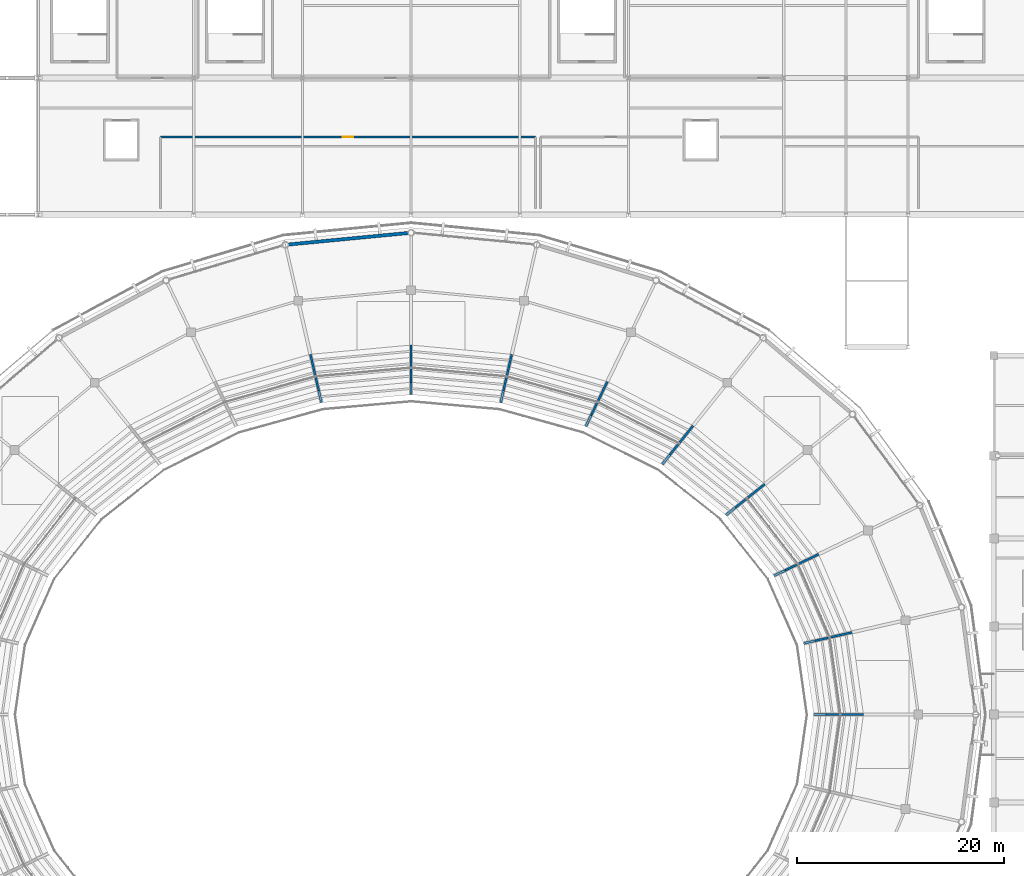
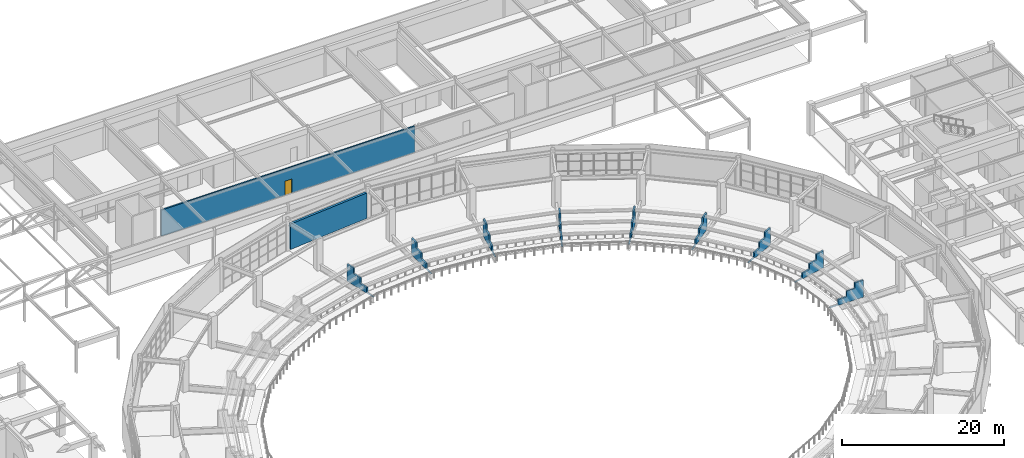
# One storey, part 100 of 122: 11 walls, 1 door, 1 opening.
"""IFC4 building model written with IfcOpenShell, lengths in metres."""

from ifc_helpers import new_model, si_unit, direction, frame, frame_2d, origin, place, context, subcontext, project, spatial, polyline, rectangle, outline, extrude, material, layer, layer_set, type_object, element, fill, save


model = new_model("IFC4")

# Units and contexts
model_context = context("Model", 3, precision=1e-05, world=origin(), true_north=direction((0.0, 1.0)))
body_context = subcontext(model_context, "Body", "Model", "MODEL_VIEW")
ifc_project = project(units=[si_unit("LENGTHUNIT", "METRE"), si_unit("AREAUNIT", "SQUARE_METRE"), si_unit("VOLUMEUNIT", "CUBIC_METRE"), si_unit("PLANEANGLEUNIT", "RADIAN"), si_unit("MASSUNIT", "GRAM", prefix="KILO")], contexts=[model_context])

# Site, building, storey
site_placement = place(None, origin())
site = spatial("IfcSite", under=ifc_project, at=site_placement, CompositionType="ELEMENT")
building_placement = place(site_placement, origin())
building = spatial("IfcBuilding", under=site, at=building_placement, Name="Cuetzalor Civic Arena", CompositionType="ELEMENT")
storey_placement = place(building_placement, frame((0.0, 0.0, 16.199951171875)))
storey = spatial("IfcBuildingStorey", under=building, at=storey_placement, Name="L03", CompositionType="ELEMENT", Elevation=16.199951171875)

# Wall, opening, door
ifc_material_1 = material(Name="Fire-rated masonry and gypsum partition", Category="masonry")
ifc_layer_1 = layer(ifc_material_1, 0.199951171875)
ifc_layer_set_1 = layer_set([ifc_layer_1], Name="Fire-rated masonry and gypsum partition")
wall_type_1 = type_object("IfcWallType", Name="FireCompartmentWall_200", PredefinedType="PARTITIONING", material=ifc_layer_set_1)
wall_1_placement = place(storey_placement, frame((-24.199951171875, 55.800048828125, 0.0), z_axis=(0.0, 0.0, 1.0), x_axis=(1.0, 0.0, 0.0)))
wall_1 = element("IfcWall", 1, at=wall_1_placement, inside=storey, type_object=wall_type_1, Name="Interior Partition IWALL:L03:0498", PredefinedType="PARTITIONING", context=body_context, shape_type="SweptSolid", body=[
    extrude(rectangle(XDim=36.199951171875, YDim=0.199951171875, at=frame_2d((18.10009765625, 0.0))), origin(), (0.0, 0.0, 1.0), 3.942138671875),
])
opening_placement = place(wall_1_placement, frame((17.60009765625, 0.0, 0.0)))
opening = element("IfcOpeningElement", 2, at=opening_placement, cuts=wall_1, Name="Opening FD-01", PredefinedType="OPENING", context=body_context, shape_type="SweptSolid", body=[
    extrude(rectangle(XDim=1.0, YDim=2.14990234375, at=frame_2d((0.5, 1.074951171875))), frame((0.0, 0.10986328125, 0.0), z_axis=(0.0, -1.0, 0.0), x_axis=(1.0, 0.0, 0.0)), (0.0, 0.0, 1.0), 0.219970703125),
])
ifc_material_2 = material(Name="Fire-rated insulated steel door", Category="steel")
door_type = type_object("IfcDoorType", Name="FireSingleDoor_1000x2150", OperationType="NOTDEFINED", PredefinedType="DOOR", material=ifc_material_2)
door_placement = place(opening_placement, origin())
door = element("IfcDoor", 3, at=door_placement, inside=storey, type_object=door_type, Name="Door to Venue IT Server and Broadcast Patch Room", OperationType="SINGLE_SWING_RIGHT", OverallHeight=2.14990234375, OverallWidth=1.0, PredefinedType="DOOR", context=body_context, shape_type="SweptSolid", body=[
    extrude(rectangle(XDim=1.0, YDim=2.14990234375, at=frame_2d((0.5, 1.074951171875))), frame((0.0, 0.02490234375, 0.0), z_axis=(0.0, -1.0, 0.0), x_axis=(1.0, 0.0, 0.0)), (0.0, 0.0, 1.0), 0.050048828125),
])
fill(opening, door)

# Walls
ifc_material_3 = material(Name="Precast concrete C40/50 insulated cladding", Category="concrete")
ifc_layer_2 = layer(ifc_material_3, 0.320068359375)
ifc_layer_set_2 = layer_set([ifc_layer_2], Name="Precast concrete C40/50 insulated cladding")
wall_type_2 = type_object("IfcWallType", Name="InsulatedPrecastWall_320", PredefinedType="SOLIDWALL", material=ifc_layer_set_2)
wall_2_placement = place(storey_placement, frame((-11.8251953125, 45.4130859375, 0.0), z_axis=(0.0, 0.0, 1.0), x_axis=(0.995408913067, 0.095713613383, 0.0)))
element("IfcWall", 4, at=wall_2_placement, inside=storey, type_object=wall_type_2, Name="Drum Acoustic Backing Wall L03-045", PredefinedType="SOLIDWALL", context=body_context, shape_type="SweptSolid", body=[
    extrude(rectangle(XDim=11.56494140625, YDim=0.320068359375, at=frame_2d((5.782470703125, 0.0))), origin(), (0.0, 0.0, 1.0), 3.83203125),
])
ifc_material_4 = material(Name="Precast concrete C40/50", Category="concrete")
ifc_layer_3 = layer(ifc_material_4, 0.2099609375)
ifc_layer_set_3 = layer_set([ifc_layer_3], Name="Precast concrete C40/50")
wall_type_3 = type_object("IfcWallType", Name="PrecastBowlRiserWall_210", PredefinedType="SHEAR", material=ifc_layer_set_3)
wall_3_placement = place(storey_placement, frame((38.89990234375, 0.0, 0.9111328125), z_axis=(0.0, 0.0, 1.0), x_axis=(1.0, 0.0, 0.0)))
element("IfcWall", 5, at=wall_3_placement, inside=storey, type_object=wall_type_3, Name="Upper Bowl Radial Raker Web Wall S01", PredefinedType="SHEAR", context=body_context, shape_type="SweptSolid", body=[
    extrude(outline(polyline([(0.0, 0.0), (4.800048828125, 0.0), (4.800048828125, 2.5439453125), (3.610107421875, 2.5439453125), (3.60009765625, 1.69384765625), (2.409912109375, 1.69384765625), (2.39990234375, 0.843994140625), (1.2099609375, 0.843994140625), (1.199951171875, 0.039794921875), (0.0, 0.039794921875), (0.0, 0.0)])), frame((0.0, 0.10498046875, 0.0), z_axis=(0.0, -1.0, 0.0), x_axis=(1.0, 0.0, 0.0)), (0.0, 0.0, 1.0), 0.2099609375),
])
wall_4_placement = place(storey_placement, frame((37.9248046875, 6.8759765625, 0.9111328125), z_axis=(0.0, 0.0, 1.0), x_axis=(0.974925072584, 0.222533374683, 0.0)))
element("IfcWall", 6, at=wall_4_placement, inside=storey, type_object=wall_type_3, Name="Upper Bowl Radial Raker Web Wall S02", PredefinedType="SHEAR", context=body_context, shape_type="SweptSolid", body=[
    extrude(outline(polyline([(0.0, 0.0), (4.7998046875, 0.0), (4.7998046875, 2.5439453125), (3.60986328125, 2.5439453125), (3.599853515625, 1.69384765625), (2.409912109375, 1.69384765625), (2.39990234375, 0.843994140625), (1.2099609375, 0.843994140625), (1.199951171875, 0.039794921875), (0.0, 0.039794921875), (0.0, 0.0)])), frame((0.0, 0.10498046875, 0.0), z_axis=(0.0, -1.0, 0.0), x_axis=(1.0, 0.0, 0.0)), (0.0, 0.0, 1.0), 0.2099609375),
])
wall_5_placement = place(storey_placement, frame((35.047607421875, 13.406982421875, 0.9111328125), z_axis=(0.0, 0.0, 1.0), x_axis=(0.900981051808, 0.433858438067, 0.0)))
element("IfcWall", 7, at=wall_5_placement, inside=storey, type_object=wall_type_3, Name="Upper Bowl Radial Raker Web Wall S03", PredefinedType="SHEAR", context=body_context, shape_type="SweptSolid", body=[
    extrude(outline(polyline([(0.0, 0.0), (4.800048828125, 0.0), (4.7998046875, 2.5439453125), (3.60986328125, 2.5439453125), (3.599853515625, 1.69384765625), (2.409912109375, 1.69384765625), (2.39990234375, 0.843994140625), (1.2099609375, 0.843994140625), (1.199951171875, 0.039794921875), (0.0, 0.039794921875), (0.0, 0.0)])), frame((0.0, 0.10498046875, 0.0), z_axis=(0.0, -1.0, 0.0), x_axis=(1.0, 0.0, 0.0)), (0.0, 0.0, 1.0), 0.2099609375),
])
wall_6_placement = place(storey_placement, frame((30.4130859375, 19.265869140625, 0.9111328125), z_axis=(0.0, 0.0, 1.0), x_axis=(0.781850348235, 0.623466144201, 0.0)))
element("IfcWall", 8, at=wall_6_placement, inside=storey, type_object=wall_type_3, Name="Upper Bowl Radial Raker Web Wall S04", PredefinedType="SHEAR", context=body_context, shape_type="SweptSolid", body=[
    extrude(outline(polyline([(0.0, 0.0), (4.800048828125, 0.0), (4.800048828125, 2.5439453125), (3.610107421875, 2.5439453125), (3.60009765625, 1.69384765625), (2.409912109375, 1.69384765625), (2.39990234375, 0.843994140625), (1.2099609375, 0.843994140625), (1.199951171875, 0.039794921875), (0.0, 0.039794921875), (0.0, 0.0)])), frame((0.0, 0.10498046875, 0.0), z_axis=(0.0, -1.0, 0.0), x_axis=(1.0, 0.0, 0.0)), (0.0, 0.0, 1.0), 0.2099609375),
])
wall_7_placement = place(storey_placement, frame((24.25390625, 24.15869140625, 0.9111328125), z_axis=(0.0, 0.0, 1.0), x_axis=(0.623490937913, 0.781830576494, 0.0)))
element("IfcWall", 9, at=wall_7_placement, inside=storey, type_object=wall_type_3, Name="Upper Bowl Radial Raker Web Wall S05", PredefinedType="SHEAR", context=body_context, shape_type="SweptSolid", body=[
    extrude(outline(polyline([(0.0, 0.0), (4.7998046875, 0.0), (4.800048828125, 2.5439453125), (3.610107421875, 2.5439453125), (3.60009765625, 1.69384765625), (2.409912109375, 1.69384765625), (2.39990234375, 0.843994140625), (1.2099609375, 0.843994140625), (1.199951171875, 0.039794921875), (0.0, 0.039794921875), (0.0, 0.0)])), frame((0.0, 0.10498046875, 0.0), z_axis=(0.0, -1.0, 0.0), x_axis=(1.0, 0.0, 0.0)), (0.0, 0.0, 1.0), 0.2099609375),
])
wall_8_placement = place(storey_placement, frame((16.878173828125, 27.83984375, 0.9111328125), z_axis=(0.0, 0.0, 1.0), x_axis=(0.433858438067, 0.900981051808, 0.0)))
element("IfcWall", 10, at=wall_8_placement, inside=storey, type_object=wall_type_3, Name="Upper Bowl Radial Raker Web Wall S06", PredefinedType="SHEAR", context=body_context, shape_type="SweptSolid", body=[
    extrude(outline(polyline([(0.0, 0.0), (4.800048828125, 0.0), (4.800048828125, 2.5439453125), (3.610107421875, 2.5439453125), (3.60009765625, 1.69384765625), (2.409912109375, 1.69384765625), (2.39990234375, 0.843994140625), (1.2099609375, 0.843994140625), (1.199951171875, 0.039794921875), (0.0, 0.039794921875), (0.0, 0.0)])), frame((0.0, 0.10498046875, 0.0), z_axis=(0.0, -1.0, 0.0), x_axis=(1.0, 0.0, 0.0)), (0.0, 0.0, 1.0), 0.2099609375),
])
wall_9_placement = place(storey_placement, frame((8.656005859375, 30.125244140625, 0.9111328125), z_axis=(0.0, 0.0, 1.0), x_axis=(0.222522339933, 0.974927591276, 0.0)))
element("IfcWall", 11, at=wall_9_placement, inside=storey, type_object=wall_type_3, Name="Upper Bowl Radial Raker Web Wall S07", PredefinedType="SHEAR", context=body_context, shape_type="SweptSolid", body=[
    extrude(outline(polyline([(0.0, 0.0), (4.800048828125, 0.0), (4.7998046875, 2.5439453125), (3.60986328125, 2.5439453125), (3.599853515625, 1.69384765625), (2.409912109375, 1.69384765625), (2.39990234375, 0.843994140625), (1.2099609375, 0.843994140625), (1.199951171875, 0.039794921875), (0.0, 0.039794921875), (0.0, 0.0)])), frame((0.0, 0.10498046875, 0.0), z_axis=(0.0, -1.0, 0.0), x_axis=(1.0, 0.0, 0.0)), (0.0, 0.0, 1.0), 0.2099609375),
])
wall_10_placement = place(storey_placement, frame((0.0, 30.89990234375, 0.9111328125), z_axis=(0.0, 0.0, 1.0), x_axis=(0.0, 1.0, 0.0)))
element("IfcWall", 12, at=wall_10_placement, inside=storey, type_object=wall_type_3, Name="Upper Bowl Radial Raker Web Wall S08", PredefinedType="SHEAR", context=body_context, shape_type="SweptSolid", body=[
    extrude(outline(polyline([(0.0, 0.0), (4.800048828125, 0.0), (4.800048828125, 2.5439453125), (3.610107421875, 2.5439453125), (3.60009765625, 1.69384765625), (2.409912109375, 1.69384765625), (2.39990234375, 0.843994140625), (1.2099609375, 0.843994140625), (1.199951171875, 0.039794921875), (0.0, 0.039794921875), (0.0, 0.0)])), frame((0.0, 0.10498046875, 0.0), z_axis=(0.0, -1.0, 0.0), x_axis=(1.0, 0.0, 0.0)), (0.0, 0.0, 1.0), 0.2099609375),
])
wall_11_placement = place(storey_placement, frame((-8.656005859375, 30.125244140625, 0.9111328125), z_axis=(0.0, 0.0, 1.0), x_axis=(-0.222522339933, 0.974927591276, 0.0)))
element("IfcWall", 13, at=wall_11_placement, inside=storey, type_object=wall_type_3, Name="Upper Bowl Radial Raker Web Wall S09", PredefinedType="SHEAR", context=body_context, shape_type="SweptSolid", body=[
    extrude(outline(polyline([(0.0, 0.0), (4.800048828125, 0.0), (4.7998046875, 2.5439453125), (3.60986328125, 2.5439453125), (3.599853515625, 1.69384765625), (2.409912109375, 1.69384765625), (2.39990234375, 0.843994140625), (1.2099609375, 0.843994140625), (1.199951171875, 0.039794921875), (0.0, 0.039794921875), (0.0, 0.0)])), frame((0.0, 0.10498046875, 0.0), z_axis=(0.0, -1.0, 0.0), x_axis=(1.0, 0.0, 0.0)), (0.0, 0.0, 1.0), 0.2099609375),
])

save(model, "model.ifc")
